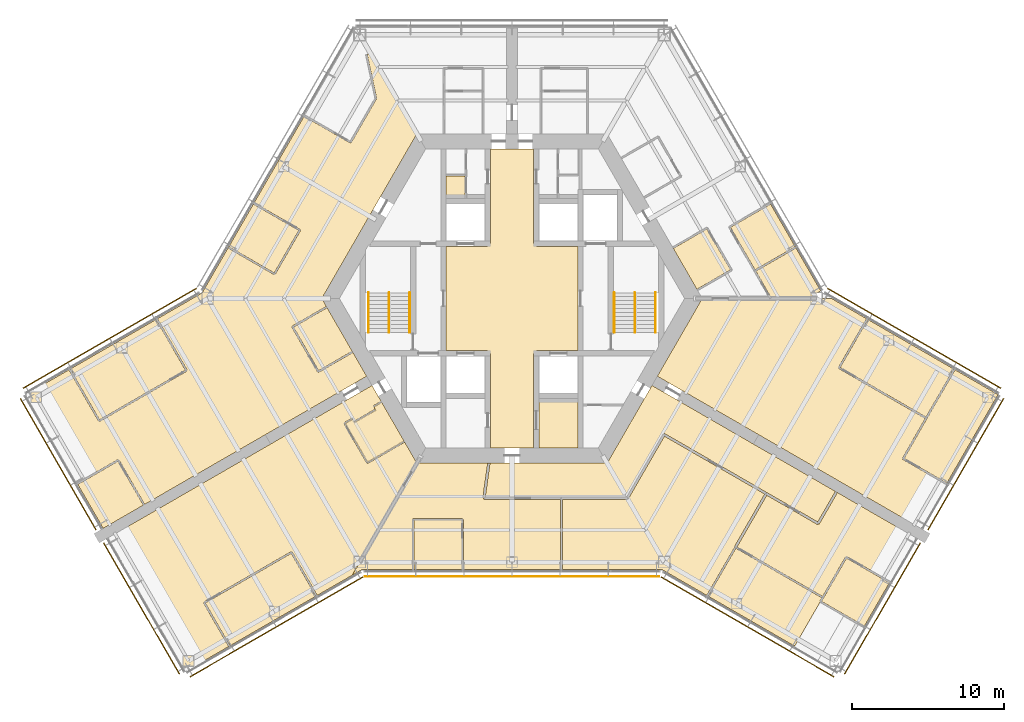
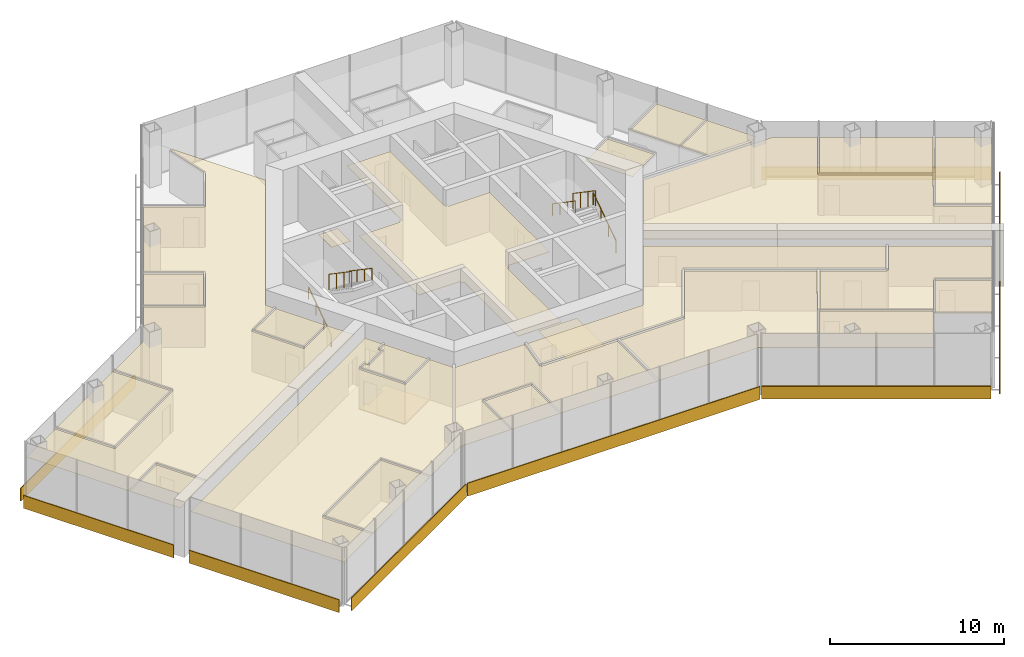
# One storey, part 17 of 18: 25 coverings, 9 shading devices, 6 railings.
"""IFC4 building model written with IfcOpenShell, lengths in metres."""

from ifc_helpers import new_model, si_unit, direction, frame, origin, origin_2d, place, context, subcontext, project, spatial, polyline, rectangle, circle, outline, extrude, material, layer, layer_set, type_object, element, save


model = new_model("IFC4")

# Units and contexts
model_context = context("Model", 3, precision=1e-05, world=origin(), true_north=direction((0.0, 1.0)))
body_context = subcontext(model_context, "Body", "Model", "MODEL_VIEW")
ifc_project = project(units=[si_unit("LENGTHUNIT", "METRE"), si_unit("AREAUNIT", "SQUARE_METRE"), si_unit("VOLUMEUNIT", "CUBIC_METRE"), si_unit("PLANEANGLEUNIT", "RADIAN"), si_unit("MASSUNIT", "GRAM", prefix="KILO")], contexts=[model_context])

# Site, building, storey
site_placement = place(None, origin())
site = spatial("IfcSite", under=ifc_project, at=site_placement, CompositionType="ELEMENT")
building_placement = place(site_placement, origin())
building = spatial("IfcBuilding", under=site, at=building_placement, Name="Kasaneha Research Tower", CompositionType="ELEMENT")
storey_placement = place(building_placement, frame((0.0, 0.0, 172.10009765625)))
storey = spatial("IfcBuildingStorey", under=building, at=storey_placement, Name="L43", CompositionType="ELEMENT", Elevation=172.10009765625)

# Covering
ifc_material_1 = material(Name="Aluminium panel ceiling", Category="aluminium")
ifc_layer_1 = layer(ifc_material_1, 0.0400390625)
ifc_layer_set_1 = layer_set([ifc_layer_1], Name="Lift lobby ceiling 40")
covering_type_1 = type_object("IfcCoveringType", Name="Lift lobby ceiling 40", PredefinedType="CEILING", material=ifc_layer_set_1)
covering_1_placement = place(storey_placement, frame((0.0, 0.0, 2.699951171875)))
element("IfcCovering", 1, at=covering_1_placement, inside=storey, type_object=covering_type_1, Name="Ceiling L43-01", PredefinedType="CEILING", context=body_context, shape_type="SweptSolid", body=[
    extrude(outline(polyline([(1.425048828125, 9.824951171875), (1.425048828125, 3.60009765625), (1.60009765625, 3.60009765625), (1.60009765625, 3.425048828125), (4.324951171875, 3.425048828125), (4.324951171875, -3.425048828125), (1.60009765625, -3.425048828125), (1.60009765625, -3.60009765625), (1.425048828125, -3.60009765625), (1.425048828125, -9.824951171875), (-1.425048828125, -9.824951171875), (-1.425048828125, -3.60009765625), (-1.60009765625, -3.60009765625), (-1.60009765625, -3.425048828125), (-4.324951171875, -3.425048828125), (-4.324951171875, 3.425048828125), (-1.60009765625, 3.425048828125), (-1.60009765625, 3.60009765625), (-1.425048828125, 3.60009765625), (-1.425048828125, 9.824951171875), (1.425048828125, 9.824951171875)])), origin(), (0.0, 0.0, 1.0), 0.0400390625),
])

# Railings
ifc_material_2 = material(Name="Steel", Category="steel")
railing_type_1 = type_object("IfcRailingType", Name="Stair balustrade 1100", PredefinedType="GUARDRAIL", material=ifc_material_2)
for number, where, name in (
    (2, (8.074951171875, 0.375, 2.127197265625), "Stair 1 balustrade L43"),
    (3, (-8.074951171875, 0.375, 2.127197265625), "Stair 2 balustrade L43"),
):
    element("IfcRailing", number, at=place(storey_placement, frame(where)), inside=storey, type_object=railing_type_1, Name=name, PredefinedType="GUARDRAIL", context=body_context, shape_type="SweptSolid", body=[
        extrude(circle(Radius=0.02392578125, at=origin_2d()), frame((0.0, 0.0, 1.076171875), z_axis=(0.0, -0.826240473404, 0.563317565952), x_axis=(1.0, 0.0, 0.0)), (0.0, 0.0, 1.0), 3.14697265625),
        extrude(circle(Radius=0.02099609375, at=origin_2d()), origin(), (0.0, 0.0, 1.0), 1.052001953125),
        extrude(circle(Radius=0.02099609375, at=origin_2d()), frame((0.0, -0.86669921875, 0.5908203125)), (0.0, 0.0, 1.0), 1.052001953125),
        extrude(circle(Radius=0.02099609375, at=origin_2d()), frame((0.0, -1.7333984375, 1.181884765625)), (0.0, 0.0, 1.0), 1.052001953125),
        extrude(circle(Radius=0.02099609375, at=origin_2d()), frame((0.0, -2.60009765625, 1.772705078125)), (0.0, 0.0, 1.0), 1.052001953125),
    ])
ifc_material_3 = material(Name="Steel", Category="steel")
railing_type_2 = type_object("IfcRailingType", Name="Stair handrail 850", PredefinedType="HANDRAIL", material=ifc_material_3)
railing_1_placement = place(storey_placement, frame((9.425048828125, -2.22509765625, 0.17724609375)))
element("IfcRailing", 4, at=railing_1_placement, inside=storey, type_object=railing_type_2, Name="Stair 1 handrail L43", PredefinedType="HANDRAIL", context=body_context, shape_type="SweptSolid", body=[
    extrude(circle(Radius=0.02392578125, at=origin_2d()), frame((0.0, 0.0, 0.826171875), z_axis=(0.0, 0.826240473404, 0.563317565952), x_axis=(-1.0, 0.0, 0.0)), (0.0, 0.0, 1.0), 3.14697265625),
    extrude(circle(Radius=0.02099609375, at=origin_2d()), origin(), (0.0, 0.0, 1.0), 0.802001953125),
    extrude(circle(Radius=0.02099609375, at=origin_2d()), frame((0.0, 0.86669921875, 0.5908203125)), (0.0, 0.0, 1.0), 0.802001953125),
    extrude(circle(Radius=0.02099609375, at=origin_2d()), frame((0.0, 1.7333984375, 1.181884765625)), (0.0, 0.0, 1.0), 0.802001953125),
    extrude(circle(Radius=0.02099609375, at=origin_2d()), frame((0.0, 2.60009765625, 1.772705078125)), (0.0, 0.0, 1.0), 0.802001953125),
])
railing_2_placement = place(storey_placement, frame((6.72509765625, 0.375, 2.127197265625)))
element("IfcRailing", 5, at=railing_2_placement, inside=storey, type_object=railing_type_2, Name="Stair 1 handrail L43", PredefinedType="HANDRAIL", context=body_context, shape_type="SweptSolid", body=[
    extrude(circle(Radius=0.02392578125, at=origin_2d()), frame((0.0, 0.0, 0.826171875), z_axis=(0.0, -0.826240473404, 0.563317565952), x_axis=(1.0, 0.0, 0.0)), (0.0, 0.0, 1.0), 3.14697265625),
    extrude(circle(Radius=0.02099609375, at=origin_2d()), origin(), (0.0, 0.0, 1.0), 0.802001953125),
    extrude(circle(Radius=0.02099609375, at=origin_2d()), frame((0.0, -0.86669921875, 0.5908203125)), (0.0, 0.0, 1.0), 0.802001953125),
    extrude(circle(Radius=0.02099609375, at=origin_2d()), frame((0.0, -1.7333984375, 1.181884765625)), (0.0, 0.0, 1.0), 0.802001953125),
    extrude(circle(Radius=0.02099609375, at=origin_2d()), frame((0.0, -2.60009765625, 1.772705078125)), (0.0, 0.0, 1.0), 0.802001953125),
])
railing_3_placement = place(storey_placement, frame((-9.425048828125, -2.22509765625, 0.17724609375)))
element("IfcRailing", 6, at=railing_3_placement, inside=storey, type_object=railing_type_2, Name="Stair 2 handrail L43", PredefinedType="HANDRAIL", context=body_context, shape_type="SweptSolid", body=[
    extrude(circle(Radius=0.02392578125, at=origin_2d()), frame((0.0, 0.0, 0.826171875), z_axis=(0.0, 0.826240473404, 0.563317565952), x_axis=(-1.0, 0.0, 0.0)), (0.0, 0.0, 1.0), 3.14697265625),
    extrude(circle(Radius=0.02099609375, at=origin_2d()), origin(), (0.0, 0.0, 1.0), 0.802001953125),
    extrude(circle(Radius=0.02099609375, at=origin_2d()), frame((0.0, 0.86669921875, 0.5908203125)), (0.0, 0.0, 1.0), 0.802001953125),
    extrude(circle(Radius=0.02099609375, at=origin_2d()), frame((0.0, 1.7333984375, 1.181884765625)), (0.0, 0.0, 1.0), 0.802001953125),
    extrude(circle(Radius=0.02099609375, at=origin_2d()), frame((0.0, 2.60009765625, 1.772705078125)), (0.0, 0.0, 1.0), 0.802001953125),
])
railing_4_placement = place(storey_placement, frame((-6.72509765625, 0.375, 2.127197265625)))
element("IfcRailing", 7, at=railing_4_placement, inside=storey, type_object=railing_type_2, Name="Stair 2 handrail L43", PredefinedType="HANDRAIL", context=body_context, shape_type="SweptSolid", body=[
    extrude(circle(Radius=0.02392578125, at=origin_2d()), frame((0.0, 0.0, 0.826171875), z_axis=(0.0, -0.826240473404, 0.563317565952), x_axis=(1.0, 0.0, 0.0)), (0.0, 0.0, 1.0), 3.14697265625),
    extrude(circle(Radius=0.02099609375, at=origin_2d()), origin(), (0.0, 0.0, 1.0), 0.802001953125),
    extrude(circle(Radius=0.02099609375, at=origin_2d()), frame((0.0, -0.86669921875, 0.5908203125)), (0.0, 0.0, 1.0), 0.802001953125),
    extrude(circle(Radius=0.02099609375, at=origin_2d()), frame((0.0, -1.7333984375, 1.181884765625)), (0.0, 0.0, 1.0), 0.802001953125),
    extrude(circle(Radius=0.02099609375, at=origin_2d()), frame((0.0, -2.60009765625, 1.772705078125)), (0.0, 0.0, 1.0), 0.802001953125),
])

# Coverings
ifc_material_4 = material(Name="Gypsum ceiling board", Category="gypsum")
ifc_layer_2 = layer(ifc_material_4, 0.02001953125)
ifc_layer_set_2 = layer_set([ifc_layer_2], Name="Suspended ceiling 20")
covering_type_2 = type_object("IfcCoveringType", Name="Suspended ceiling 20", PredefinedType="CEILING", material=ifc_layer_set_2)
covering_2_placement = place(storey_placement, frame((0.0, 0.0, 2.7998046875)))
element("IfcCovering", 8, at=covering_2_placement, inside=storey, type_object=covering_type_2, Name="Ceiling L43-30", PredefinedType="CEILING", context=body_context, shape_type="SweptSolid", body=[
    extrude(outline(polyline([(10.57470703125, 3.333984375), (10.592041015625, 3.343994140625), (10.616943359375, 3.30078125), (12.80810546875, 4.565673828125), (14.358154296875, 1.881103515625), (12.1669921875, 0.6162109375), (12.192138671875, 0.57275390625), (12.1748046875, 0.562744140625), (10.57470703125, 3.333984375)])), origin(), (0.0, 0.0, 1.0), 0.02001953125),
])
covering_3_placement = place(storey_placement, frame((0.0, 0.0, 2.7998046875)))
element("IfcCovering", 9, at=covering_3_placement, inside=storey, type_object=covering_type_2, Name="Ceiling L43-31", PredefinedType="CEILING", context=body_context, shape_type="SweptSolid", body=[
    extrude(outline(polyline([(18.63720703125, 3.360595703125), (18.619873046875, 3.3505859375), (18.594970703125, 3.393798828125), (15.97216796875, 1.88525390625), (14.35546875, 4.677001953125), (16.99658203125, 6.201904296875), (18.63720703125, 3.360595703125)])), origin(), (0.0, 0.0, 1.0), 0.02001953125),
])
covering_4_placement = place(storey_placement, frame((0.0, 0.0, 2.7998046875)))
element("IfcCovering", 10, at=covering_4_placement, inside=storey, type_object=covering_type_2, Name="Ceiling L43-32", PredefinedType="CEILING", context=body_context, shape_type="SweptSolid", body=[
    extrude(outline(polyline([(20.28759765625, 0.501708984375), (19.41845703125, 0.0), (16.997802734375, 0.0), (16.986328125, 0.02001953125), (17.029541015625, 0.044921875), (16.022216796875, 1.798583984375), (18.644775390625, 3.30712890625), (18.619873046875, 3.3505859375), (18.63720703125, 3.360595703125), (20.28759765625, 0.501708984375)])), origin(), (0.0, 0.0, 1.0), 0.02001953125),
])
covering_5_placement = place(storey_placement, frame((0.0, 0.0, 2.7998046875)))
element("IfcCovering", 11, at=covering_5_placement, inside=storey, type_object=covering_type_2, Name="Ceiling L43-38", PredefinedType="CEILING", context=body_context, shape_type="SweptSolid", body=[
    extrude(outline(polyline([(-16.99658203125, 6.201904296875), (-14.0087890625, 4.476806640625), (-15.62451171875, 1.6787109375), (-18.5947265625, 3.393798828125), (-18.619873046875, 3.3505859375), (-18.63720703125, 3.360595703125), (-16.99658203125, 6.201904296875)])), origin(), (0.0, 0.0, 1.0), 0.02001953125),
])
covering_6_placement = place(storey_placement, frame((0.0, 0.0, 2.7998046875)))
element("IfcCovering", 12, at=covering_6_placement, inside=storey, type_object=covering_type_2, Name="Ceiling L43-39", PredefinedType="CEILING", context=body_context, shape_type="SweptSolid", body=[
    extrude(outline(polyline([(-23.34228515625, -1.352294921875), (-23.332275390625, -1.36962890625), (-23.37548828125, -1.39453125), (-21.46044921875, -4.71142578125), (-27.106689453125, -7.97119140625), (-29.03173828125, -4.636962890625), (-23.34228515625, -1.352294921875)])), origin(), (0.0, 0.0, 1.0), 0.02001953125),
])
covering_7_placement = place(storey_placement, frame((0.0, 0.0, 2.7998046875)))
element("IfcCovering", 13, at=covering_7_placement, inside=storey, type_object=covering_type_2, Name="Ceiling L43-40", PredefinedType="CEILING", context=body_context, shape_type="SweptSolid", body=[
    extrude(outline(polyline([(-10.474609375, -3.50732421875), (-10.491943359375, -3.51708984375), (-10.51708984375, -3.473876953125), (-12.7080078125, -4.739013671875), (-14.358154296875, -1.881103515625), (-12.1669921875, -0.6162109375), (-12.192138671875, -0.57275390625), (-12.1748046875, -0.562744140625), (-10.474609375, -3.50732421875)])), origin(), (0.0, 0.0, 1.0), 0.02001953125),
])
covering_8_placement = place(storey_placement, frame((0.0, 0.0, 2.7998046875)))
element("IfcCovering", 14, at=covering_8_placement, inside=storey, type_object=covering_type_2, Name="Ceiling L43-41", PredefinedType="CEILING", context=body_context, shape_type="SweptSolid", body=[
    extrude(outline(polyline([(-28.532958984375, -12.220458984375), (-25.8916015625, -10.6953125), (-24.235107421875, -13.564697265625), (-24.191650390625, -13.539794921875), (-24.181640625, -13.55712890625), (-26.866455078125, -15.107177734375), (-28.532958984375, -12.220458984375)])), origin(), (0.0, 0.0, 1.0), 0.02001953125),
])
covering_9_placement = place(storey_placement, frame((0.0, 0.0, 2.7998046875)))
element("IfcCovering", 15, at=covering_9_placement, inside=storey, type_object=covering_type_2, Name="Ceiling L43-42", PredefinedType="CEILING", context=body_context, shape_type="SweptSolid", body=[
    extrude(outline(polyline([(-12.1923828125, -0.572265625), (-12.217041015625, -0.529541015625), (-14.451416015625, -1.819580078125), (-14.426513671875, -1.86279296875), (-14.4267578125, -1.863037109375), (-14.4267578125, -1.863037109375), (-14.4697265625, -1.8876953125), (-12.769775390625, -4.832275390625), (-12.726806640625, -4.807373046875), (-12.7265625, -4.8076171875), (-12.726318359375, -4.8076171875), (-12.701416015625, -4.8505859375), (-10.467041015625, -3.560546875), (-10.49169921875, -3.517578125), (-10.474365234375, -3.507568359375), (-9.5498046875, -5.109375), (-10.3291015625, -5.559326171875), (-10.3291015625, -5.559326171875), (-18.001220703125, -9.98876953125), (-24.18115234375, -13.556884765625), (-24.191162109375, -13.53955078125), (-24.1484375, -13.514892578125), (-25.830078125, -10.60205078125), (-25.873046875, -10.626953125), (-25.873291015625, -10.626708984375), (-25.87353515625, -10.626708984375), (-25.898193359375, -10.583740234375), (-28.5830078125, -12.1337890625), (-31.94140625, -6.31689453125), (-29.1181640625, -4.68701171875), (-27.168212890625, -8.064697265625), (-27.125244140625, -8.039794921875), (-27.125, -8.0400390625), (-27.124755859375, -8.0400390625), (-27.10009765625, -8.0830078125), (-21.3671875, -4.773193359375), (-21.39208984375, -4.730224609375), (-21.391845703125, -4.730224609375), (-21.39208984375, -4.729736328125), (-21.348876953125, -4.704833984375), (-23.288818359375, -1.344482421875), (-23.331787109375, -1.369384765625), (-23.341796875, -1.35205078125), (-20.365966796875, 0.365966796875), (-18.637451171875, 3.360107421875), (-18.6201171875, 3.35009765625), (-18.644775390625, 3.30712890625), (-15.631103515625, 1.567138671875), (-15.606201171875, 1.6103515625), (-15.605712890625, 1.610107421875), (-15.605712890625, 1.6103515625), (-15.562744140625, 1.58544921875), (-13.897216796875, 4.47021484375), (-13.940185546875, 4.4951171875), (-13.940185546875, 4.495361328125), (-13.9404296875, 4.49560546875), (-13.91552734375, 4.53857421875), (-16.94677734375, 6.28857421875), (-13.64111328125, 12.01416015625), (-13.62353515625, 12.004150390625), (-13.6484375, 11.961181640625), (-10.634765625, 10.22119140625), (-10.609619140625, 10.264404296875), (-10.609375, 10.26416015625), (-10.609375, 10.26416015625), (-10.56640625, 10.239501953125), (-8.89990234375, 13.124267578125), (-8.943115234375, 13.1494140625), (-8.894287109375, 13.159912109375), (-9.51513671875, 16.034423828125), (-9.56396484375, 16.02392578125), (-9.56396484375, 16.02392578125), (-9.308837890625, 16.122314453125), (-6.25, 10.824462890625), (-12.49951171875, 0.0), (-12.175048828125, -0.562255859375), (-12.1923828125, -0.572265625)])), origin(), (0.0, 0.0, 1.0), 0.02001953125),
])
covering_10_placement = place(storey_placement, frame((0.0, 0.0, 2.7998046875)))
element("IfcCovering", 16, at=covering_10_placement, inside=storey, type_object=covering_type_2, Name="Ceiling L43-43", PredefinedType="CEILING", context=body_context, shape_type="SweptSolid", body=[
    extrude(outline(polyline([(-10.35498046875, -8.11474609375), (-10.35498046875, -8.11474609375), (-10.330078125, -8.157958984375), (-8.9443359375, -7.35791015625), (-8.994384765625, -7.271240234375), (-8.994384765625, -7.271240234375), (-9.09423828125, -7.09814453125), (-9.09423828125, -7.09814453125), (-9.0693359375, -7.141357421875), (-8.56689453125, -6.851318359375), (-8.592041015625, -6.80810546875), (-8.57470703125, -6.798095703125), (-7.07470703125, -9.396240234375), (-7.092041015625, -9.40625), (-7.116943359375, -9.36279296875), (-9.481201171875, -10.727783203125), (-10.931396484375, -8.21630859375), (-10.455078125, -7.94140625), (-10.35498046875, -8.11474609375)])), origin(), (0.0, 0.0, 1.0), 0.02001953125),
])
covering_11_placement = place(storey_placement, frame((0.0, 0.0, 2.7998046875)))
element("IfcCovering", 17, at=covering_11_placement, inside=storey, type_object=covering_type_2, Name="Ceiling L43-44", PredefinedType="CEILING", context=body_context, shape_type="SweptSolid", body=[
    extrude(outline(polyline([(-18.574951171875, -22.8486328125), (-18.5849609375, -22.831298828125), (-18.541748046875, -22.806396484375), (-20.15673828125, -20.009033203125), (-14.510498046875, -16.749267578125), (-12.885498046875, -19.563720703125), (-18.574951171875, -22.8486328125)])), origin(), (0.0, 0.0, 1.0), 0.02001953125),
])
covering_12_placement = place(storey_placement, frame((0.0, 0.0, 2.7998046875)))
element("IfcCovering", 18, at=covering_12_placement, inside=storey, type_object=covering_type_2, Name="Ceiling L43-45", PredefinedType="CEILING", context=body_context, shape_type="SweptSolid", body=[
    extrude(outline(polyline([(-9.979248046875, -6.16552734375), (-9.979248046875, -6.16552734375), (-9.19970703125, -5.715576171875), (-8.574951171875, -6.797607421875), (-8.59228515625, -6.8076171875), (-8.616943359375, -6.764892578125), (-9.119384765625, -7.0546875), (-9.094482421875, -7.09765625), (-9.0947265625, -7.097900390625), (-8.99462890625, -7.271484375), (-10.379638671875, -8.071044921875), (-10.47998046875, -7.897705078125), (-10.480224609375, -7.897705078125), (-10.5048828125, -7.854736328125), (-11.024658203125, -8.15478515625), (-10.999755859375, -8.19775390625), (-11.0, -8.197998046875), (-11.0, -8.1982421875), (-11.04296875, -8.22314453125), (-9.54296875, -10.8212890625), (-9.5, -10.79638671875), (-9.5, -10.796630859375), (-9.49951171875, -10.79638671875), (-9.474609375, -10.839599609375), (-7.06689453125, -9.449462890625), (-7.091796875, -9.40673828125), (-7.074462890625, -9.396728515625), (-6.249755859375, -10.824951171875), (-10.5, -18.1865234375), (-12.798828125, -19.513916015625), (-14.448974609375, -16.656005859375), (-14.4921875, -16.680908203125), (-14.51708984375, -16.6376953125), (-20.25, -19.947509765625), (-20.225341796875, -19.990234375), (-20.225341796875, -19.990478515625), (-20.22509765625, -19.99072265625), (-20.268310546875, -20.015625), (-18.62841796875, -22.856201171875), (-18.58544921875, -22.83154296875), (-18.575439453125, -22.848876953125), (-21.44140625, -24.50341796875), (-26.516357421875, -15.71337890625), (-10.84521484375, -6.66552734375), (-10.84521484375, -6.66552734375), (-9.979248046875, -6.16552734375)])), origin(), (0.0, 0.0, 1.0), 0.02001953125),
])
covering_13_placement = place(storey_placement, frame((0.0, 0.0, 2.7998046875)))
element("IfcCovering", 19, at=covering_13_placement, inside=storey, type_object=covering_type_2, Name="Ceiling L43-46", PredefinedType="CEILING", context=body_context, shape_type="SweptSolid", body=[
    extrude(outline(polyline([(29.03173828125, -4.63720703125), (27.203857421875, -7.7919921875), (21.560546875, -4.538330078125), (23.37548828125, -1.39453125), (23.332275390625, -1.36962890625), (23.34228515625, -1.352294921875), (29.03173828125, -4.63720703125)])), origin(), (0.0, 0.0, 1.0), 0.02001953125),
])
covering_14_placement = place(storey_placement, frame((0.0, 0.0, 2.7998046875)))
element("IfcCovering", 20, at=covering_14_placement, inside=storey, type_object=covering_type_2, Name="Ceiling L43-47", PredefinedType="CEILING", context=body_context, shape_type="SweptSolid", body=[
    extrude(outline(polyline([(31.941650390625, -6.316650390625), (28.5830078125, -12.1337890625), (25.768310546875, -10.5087890625), (27.269775390625, -7.887451171875), (27.265625, -7.885009765625), (29.118408203125, -4.68701171875), (31.941650390625, -6.316650390625)])), origin(), (0.0, 0.0, 1.0), 0.02001953125),
])
covering_15_placement = place(storey_placement, frame((0.0, 0.0, 2.7998046875)))
element("IfcCovering", 21, at=covering_15_placement, inside=storey, type_object=covering_type_2, Name="Ceiling L43-48", PredefinedType="CEILING", context=body_context, shape_type="SweptSolid", body=[
    extrude(outline(polyline([(9.5498046875, -5.109375), (12.49951171875, 0.0), (16.93994140625, 0.0), (16.94287109375, -0.0048828125), (16.951416015625, 0.0), (21.0, 0.0), (23.341796875, -1.35205078125), (23.331787109375, -1.369384765625), (23.288818359375, -1.344482421875), (21.448974609375, -4.531494140625), (21.491943359375, -4.556396484375), (21.49169921875, -4.556884765625), (21.491943359375, -4.556884765625), (21.46728515625, -4.599853515625), (27.158447265625, -7.881103515625), (25.65673828125, -10.502197265625), (25.69970703125, -10.52685546875), (25.69970703125, -10.527099609375), (25.699951171875, -10.52734375), (25.675048828125, -10.5703125), (28.532958984375, -12.220458984375), (26.866455078125, -15.107177734375), (14.286376953125, -7.843994140625), (10.3291015625, -5.559326171875), (10.3291015625, -5.559326171875), (9.5498046875, -5.109375)])), origin(), (0.0, 0.0, 1.0), 0.02001953125),
])
covering_16_placement = place(storey_placement, frame((0.0, 0.0, 2.7998046875)))
element("IfcCovering", 22, at=covering_16_placement, inside=storey, type_object=covering_type_2, Name="Ceiling L43-49", PredefinedType="CEILING", context=body_context, shape_type="SweptSolid", body=[
    extrude(outline(polyline([(9.991455078125, -8.944091796875), (9.9267578125, -8.906494140625), (7.534423828125, -13.050048828125), (3.25146484375, -13.050048828125), (3.241455078125, -13.050048828125), (-1.75830078125, -13.050048828125), (-1.449951171875, -10.85546875), (-1.524169921875, -10.844970703125), (-1.521240234375, -10.824951171875), (6.249755859375, -10.824951171875), (9.19970703125, -5.715576171875), (9.979248046875, -6.16552734375), (9.979248046875, -6.16552734375), (10.84521484375, -6.66552734375), (10.84521484375, -6.66552734375), (16.76171875, -10.08154296875), (21.320068359375, -12.71337890625), (21.310302734375, -12.730712890625), (21.245361328125, -12.693115234375), (20.0927734375, -14.689453125), (16.75048828125, -12.759765625), (16.75048828125, -12.759765625), (10.029052734375, -8.879150390625), (9.99169921875, -8.944091796875), (9.99169921875, -8.944091796875), (9.991455078125, -8.944091796875)])), origin(), (0.0, 0.0, 1.0), 0.02001953125),
])
covering_17_placement = place(storey_placement, frame((0.0, 0.0, 2.7998046875)))
element("IfcCovering", 23, at=covering_17_placement, inside=storey, type_object=covering_type_2, Name="Ceiling L43-50", PredefinedType="CEILING", context=body_context, shape_type="SweptSolid", body=[
    extrude(outline(polyline([(18.574951171875, -22.8486328125), (12.885498046875, -19.563720703125), (14.71240234375, -16.408935546875), (20.359619140625, -19.6689453125), (20.2314453125, -19.899169921875), (20.2666015625, -19.918701171875), (18.574951171875, -22.8486328125)])), origin(), (0.0, 0.0, 1.0), 0.02001953125),
])
covering_18_placement = place(storey_placement, frame((0.0, 0.0, 2.7998046875)))
element("IfcCovering", 24, at=covering_18_placement, inside=storey, type_object=covering_type_2, Name="Ceiling L43-51", PredefinedType="CEILING", context=body_context, shape_type="SweptSolid", body=[
    extrude(outline(polyline([(-6.492919921875, -17.820556640625), (-6.492919921875, -17.800537109375), (-6.44287109375, -17.800537109375), (-6.44287109375, -14.570556640625), (-3.29638671875, -14.570556640625), (-3.29638671875, -17.800537109375), (-3.246337890625, -17.800537109375), (-3.246337890625, -17.820556640625), (-6.492919921875, -17.820556640625)])), origin(), (0.0, 0.0, 1.0), 0.02001953125),
])
covering_19_placement = place(storey_placement, frame((0.0, 0.0, 2.7998046875)))
element("IfcCovering", 25, at=covering_19_placement, inside=storey, type_object=covering_type_2, Name="Ceiling L43-52", PredefinedType="CEILING", context=body_context, shape_type="SweptSolid", body=[
    extrude(outline(polyline([(23.133056640625, -21.573486328125), (23.11572265625, -21.5634765625), (23.140625, -21.520263671875), (20.3427734375, -19.90478515625), (20.470458984375, -19.67529296875), (20.474853515625, -19.677734375), (21.985107421875, -17.061767578125), (24.7998046875, -18.686767578125), (23.133056640625, -21.573486328125)])), origin(), (0.0, 0.0, 1.0), 0.02001953125),
])
covering_20_placement = place(storey_placement, frame((0.0, 0.0, 2.7998046875)))
element("IfcCovering", 26, at=covering_20_placement, inside=storey, type_object=covering_type_2, Name="Ceiling L43-53", PredefinedType="CEILING", context=body_context, shape_type="SweptSolid", body=[
    extrude(outline(polyline([(7.578125, -13.125244140625), (7.642578125, -13.16259765625), (10.01904296875, -9.046630859375), (16.6103515625, -12.85205078125), (14.624755859375, -16.30078125), (14.650634765625, -16.31591796875), (12.798828125, -19.513916015625), (9.865966796875, -17.820556640625), (3.246337890625, -17.820556640625), (3.246337890625, -17.800537109375), (3.3212890625, -17.800537109375), (3.326416015625, -13.199951171875), (7.57763671875, -13.199951171875), (7.57763671875, -13.12548828125), (7.577880859375, -13.12548828125), (7.578125, -13.125244140625)])), origin(), (0.0, 0.0, 1.0), 0.02001953125),
])
covering_21_placement = place(storey_placement, frame((0.0, 0.0, 2.7998046875)))
element("IfcCovering", 27, at=covering_21_placement, inside=storey, type_object=covering_type_2, Name="Ceiling L43-54", PredefinedType="CEILING", context=body_context, shape_type="SweptSolid", body=[
    extrude(outline(polyline([(-3.246337890625, -14.520263671875), (-3.246337890625, -14.470458984375), (-6.492919921875, -14.470458984375), (-6.492919921875, -14.52001953125), (-6.492919921875, -14.52001953125), (-6.492919921875, -14.5205078125), (-6.542724609375, -14.5205078125), (-6.542724609375, -17.800537109375), (-6.493408203125, -17.800537109375), (-6.493408203125, -17.820556640625), (-9.865966796875, -17.820556640625), (-10.5, -18.1865234375), (-6.249755859375, -10.824951171875), (-1.52197265625, -10.824951171875), (-1.524658203125, -10.844970703125), (-1.598388671875, -10.83447265625), (-1.9189453125, -13.114501953125), (-1.8447265625, -13.125), (-1.8447265625, -13.12548828125), (-1.844482421875, -13.12548828125), (-1.844482421875, -13.199951171875), (3.17626953125, -13.199951171875), (3.17138671875, -17.800537109375), (3.246337890625, -17.800537109375), (3.246337890625, -17.820556640625), (-3.245849609375, -17.820556640625), (-3.245849609375, -17.800537109375), (-3.1962890625, -17.800537109375), (-3.1962890625, -14.5205078125), (-3.24609375, -14.5205078125), (-3.24609375, -14.520263671875), (-3.246337890625, -14.520263671875)])), origin(), (0.0, 0.0, 1.0), 0.02001953125),
])
covering_22_placement = place(storey_placement, frame((0.0, 0.0, 2.7998046875)))
element("IfcCovering", 28, at=covering_22_placement, inside=storey, type_object=covering_type_2, Name="Ceiling L43-55", PredefinedType="CEILING", context=body_context, shape_type="SweptSolid", body=[
    extrude(outline(polyline([(25.57421875, -15.16943359375), (26.516357421875, -15.71337890625), (24.849609375, -18.60009765625), (21.99169921875, -16.9501953125), (21.967041015625, -16.9931640625), (21.966552734375, -16.992919921875), (21.966552734375, -16.9931640625), (21.923583984375, -16.968505859375), (20.4130859375, -19.58447265625), (14.779541015625, -16.33251953125), (16.740478515625, -12.927001953125), (20.082763671875, -14.856689453125), (20.119873046875, -14.792236328125), (20.119873046875, -14.792236328125), (20.1201171875, -14.791748046875), (20.18505859375, -14.829345703125), (21.375244140625, -12.768310546875), (21.310546875, -12.73095703125), (21.320556640625, -12.713623046875), (25.57421875, -15.16943359375)])), origin(), (0.0, 0.0, 1.0), 0.02001953125),
])

# Shading devices
ifc_material_5 = material(Name="Terracotta", Category="masonry")
ifc_layer_3 = layer(ifc_material_5, 0.06005859375)
ifc_layer_set_3 = layer_set([ifc_layer_3], Name="Terracotta baguette screen")
shading_device_type = type_object("IfcShadingDeviceType", Name="Terracotta baguette screen", PredefinedType="USERDEFINED", material=ifc_layer_set_3)
shading_device_1_placement = place(storey_placement, frame((0.0, -18.2705078125, -0.449951171875), z_axis=(0.0, 0.0, 1.0), x_axis=(1.0, 0.0, 0.0)))
element("IfcShadingDevice", 29, at=shading_device_1_placement, inside=storey, type_object=shading_device_type, Name="Baguette screen L43 01", ObjectType="TERRACOTTA BAGUETTE SCREEN", PredefinedType="USERDEFINED", context=body_context, shape_type="SweptSolid", body=[
    extrude(rectangle(XDim=19.37841796875, YDim=0.06005859375, at=origin_2d()), origin(), (0.0, 0.0, 1.0), 0.89990234375),
])
shading_device_2_placement = place(storey_placement, frame((15.483642578125, -21.58349609375, -0.449951171875), z_axis=(0.0, 0.0, 1.0), x_axis=(0.866025411464, -0.499999986699, 0.0)))
element("IfcShadingDevice", 30, at=shading_device_2_placement, inside=storey, type_object=shading_device_type, Name="Baguette screen L43 02", ObjectType="TERRACOTTA BAGUETTE SCREEN", PredefinedType="USERDEFINED", context=body_context, shape_type="SweptSolid", body=[
    extrude(rectangle(XDim=13.13916015625, YDim=0.06005859375, at=origin_2d()), origin(), (0.0, 0.0, 1.0), 0.89990234375),
])
for number, where, z_axis, x_axis, name in (
    (31, (24.343505859375, -20.376708984375, -0.449951171875), (0.0, 0.0, 1.0), (0.500000011442, 0.866025397178, 0.0), "Baguette screen L43 03"),
    (32, (29.818603515625, -10.893798828125, -0.449951171875), (0.0, 0.0, 1.0), (0.500000011442, 0.866025397178, 0.0), "Baguette screen L43 04"),
):
    element("IfcShadingDevice", number, at=place(storey_placement, frame(where, z_axis=z_axis, x_axis=x_axis)), inside=storey, type_object=shading_device_type, Name=name, ObjectType="TERRACOTTA BAGUETTE SCREEN", PredefinedType="USERDEFINED", context=body_context, shape_type="SweptSolid", body=[
        extrude(rectangle(XDim=9.949951171875, YDim=0.06005859375, at=origin_2d()), origin(), (0.0, 0.0, 1.0), 0.89990234375),
    ])
for number, where, z_axis, x_axis, name in (
    (33, (26.43359375, -2.617431640625, -0.449951171875), (0.0, 0.0, 1.0), (-0.866025411464, 0.499999986699, 0.0), "Baguette screen L43 05"),
    (34, (-26.43359375, -2.617431640625, -0.449951171875), (0.0, 0.0, 1.0), (-0.866025411464, -0.499999986699, 0.0), "Baguette screen L43 09"),
):
    element("IfcShadingDevice", number, at=place(storey_placement, frame(where, z_axis=z_axis, x_axis=x_axis)), inside=storey, type_object=shading_device_type, Name=name, ObjectType="TERRACOTTA BAGUETTE SCREEN", PredefinedType="USERDEFINED", context=body_context, shape_type="SweptSolid", body=[
        extrude(rectangle(XDim=13.13916015625, YDim=0.06005859375, at=origin_2d()), origin(), (0.0, 0.0, 1.0), 0.89990234375),
    ])
for number, where, z_axis, x_axis, name in (
    (35, (-29.818603515625, -10.893798828125, -0.449951171875), (0.0, 0.0, 1.0), (0.500000011442, -0.866025397178, 0.0), "Baguette screen L43 10"),
    (36, (-24.343505859375, -20.376708984375, -0.449951171875), (0.0, 0.0, 1.0), (0.500000011442, -0.866025397178, 0.0), "Baguette screen L43 11"),
):
    element("IfcShadingDevice", number, at=place(storey_placement, frame(where, z_axis=z_axis, x_axis=x_axis)), inside=storey, type_object=shading_device_type, Name=name, ObjectType="TERRACOTTA BAGUETTE SCREEN", PredefinedType="USERDEFINED", context=body_context, shape_type="SweptSolid", body=[
        extrude(rectangle(XDim=9.949951171875, YDim=0.06005859375, at=origin_2d()), origin(), (0.0, 0.0, 1.0), 0.89990234375),
    ])
shading_device_3_placement = place(storey_placement, frame((-15.483642578125, -21.58349609375, -0.449951171875), z_axis=(0.0, 0.0, 1.0), x_axis=(0.866025411464, 0.499999986699, 0.0)))
element("IfcShadingDevice", 37, at=shading_device_3_placement, inside=storey, type_object=shading_device_type, Name="Baguette screen L43 12", ObjectType="TERRACOTTA BAGUETTE SCREEN", PredefinedType="USERDEFINED", context=body_context, shape_type="SweptSolid", body=[
    extrude(rectangle(XDim=13.13916015625, YDim=0.06005859375, at=origin_2d()), origin(), (0.0, 0.0, 1.0), 0.89990234375),
])

# Coverings
ifc_material_6 = material(Name="Vinyl sheet flooring", Category="plastic")
ifc_layer_4 = layer(ifc_material_6, 0.0048828125)
ifc_layer_set_4 = layer_set([ifc_layer_4], Name="Wet room sheet flooring 5")
covering_type_3 = type_object("IfcCoveringType", Name="Wet room sheet flooring 5", PredefinedType="FLOORING", material=ifc_layer_set_4)
covering_23_placement = place(storey_placement, origin())
element("IfcCovering", 38, at=covering_23_placement, inside=storey, type_object=covering_type_3, Name="Floor finish L43-08", PredefinedType="FLOORING", context=body_context, shape_type="SweptSolid", body=[
    extrude(outline(polyline([(-4.324951171875, 6.574951171875), (-4.324951171875, 8.050048828125), (-3.074951171875, 8.050048828125), (-3.074951171875, 6.574951171875), (-4.324951171875, 6.574951171875)])), origin(), (0.0, 0.0, 1.0), 0.0048828125),
])
covering_24_placement = place(storey_placement, origin())
element("IfcCovering", 39, at=covering_24_placement, inside=storey, type_object=covering_type_3, Name="Floor finish L43-13", PredefinedType="FLOORING", context=body_context, shape_type="SweptSolid", body=[
    extrude(outline(polyline([(1.77490234375, -9.824951171875), (1.77490234375, -6.574951171875), (4.324951171875, -6.574951171875), (4.324951171875, -9.824951171875), (1.77490234375, -9.824951171875)])), origin(), (0.0, 0.0, 1.0), 0.0048828125),
])
covering_25_placement = place(storey_placement, origin())
element("IfcCovering", 40, at=covering_25_placement, inside=storey, type_object=covering_type_3, Name="Floor finish L43-43", PredefinedType="FLOORING", context=body_context, shape_type="SweptSolid", body=[
    extrude(outline(polyline([(-10.99951171875, -8.1982421875), (-10.47998046875, -7.898193359375), (-10.35498046875, -8.11474609375), (-8.96923828125, -7.314697265625), (-9.09423828125, -7.09814453125), (-8.57470703125, -6.798095703125), (-7.07470703125, -9.396240234375), (-9.49951171875, -10.796142578125), (-10.99951171875, -8.1982421875)])), origin(), (0.0, 0.0, 1.0), 0.0048828125),
])

save(model, "model.ifc")
